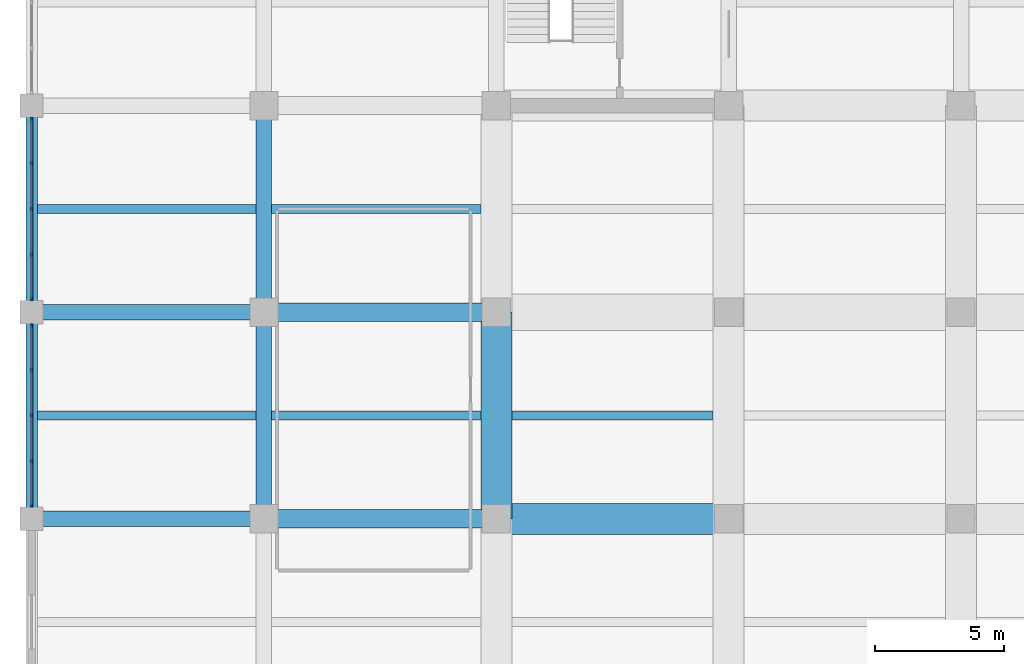
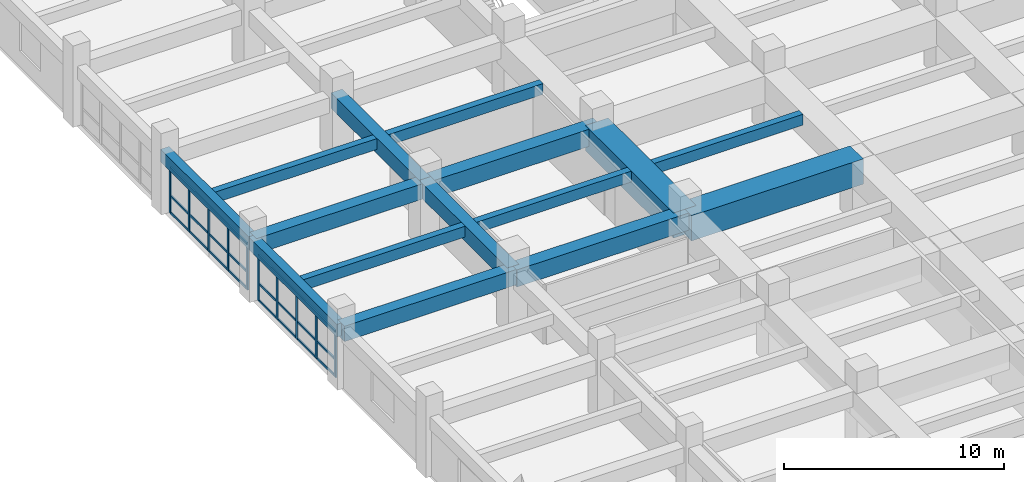
# One storey, part 9 of 40: 16 members, 15 beams, 2 elements without a shape of their own.
"""IFC4 building model written with IfcOpenShell, lengths in metres."""

from ifc_helpers import new_model, si_unit, direction, frame, origin, origin_2d, place, context, subcontext, project, spatial, rectangle, extrude, material, material_profile, profile_set, type_object, element, aggregate, save


model = new_model("IFC4")

# Units and contexts
model_context = context("Model", 3, precision=1e-05, world=origin(), true_north=direction((0.0, 1.0)))
body_context = subcontext(model_context, "Body", "Model", "MODEL_VIEW")
ifc_project = project(units=[si_unit("LENGTHUNIT", "METRE"), si_unit("AREAUNIT", "SQUARE_METRE"), si_unit("VOLUMEUNIT", "CUBIC_METRE"), si_unit("PLANEANGLEUNIT", "RADIAN"), si_unit("MASSUNIT", "GRAM", prefix="KILO")], contexts=[model_context])

# Site, building, storey
site_placement = place(None, origin())
site = spatial("IfcSite", under=ifc_project, at=site_placement, CompositionType="ELEMENT")
building_placement = place(site_placement, origin())
building = spatial("IfcBuilding", under=site, at=building_placement, Name="Zaverband Oceanarium and Marine Research Institute", CompositionType="ELEMENT")
storey_placement = place(building_placement, origin())
storey = spatial("IfcBuildingStorey", under=building, at=storey_placement, Name="L00", CompositionType="ELEMENT", Elevation=0.0)

# Beams
ifc_material_1 = material(Name="Concrete C40/50", Category="concrete")
ifc_material_profile_1 = material_profile(ifc_material_1, rectangle(XDim=0.60009765625, YDim=0.85009765625, at=origin_2d()), Name="RC600x850")
ifc_profile_set_1 = profile_set([ifc_material_profile_1], Name="Concrete C40/50")
beam_type_1 = type_object("IfcBeamType", Name="BM-600x850", PredefinedType="BEAM", material=ifc_profile_set_1)
for number, where, z_axis, x_axis, name in (
    (1, (0.0, 64.0, 2.875), (1.0, 0.0, 0.0), (0.0, 1.0, 0.0), "Primary floor girder BM-600x850"),
    (2, (0.0, 72.0, 2.875), (1.0, 0.0, 0.0), (0.0, 1.0, 0.0), "Primary floor girder BM-600x850"),
):
    element("IfcBeam", number, at=place(storey_placement, frame(where, z_axis=z_axis, x_axis=x_axis)), inside=storey, type_object=beam_type_1, Name=name, PredefinedType="BEAM", context=body_context, shape_type="SweptSolid", body=[
        extrude(rectangle(XDim=0.60009765625, YDim=0.85009765625, at=origin_2d()), origin(), (0.0, 0.0, 1.0), 9.0),
    ])
for number, where, z_axis, x_axis, name in (
    (3, (9.0, 64.0, 2.875), (0.0, 1.0, 0.0), (-1.0, 0.0, 0.0), "Primary floor girder BM-600x850"),
    (4, (9.0, 72.0, 2.875), (0.0, 1.0, 0.0), (-1.0, 0.0, 0.0), "Primary floor girder BM-600x850"),
):
    element("IfcBeam", number, at=place(storey_placement, frame(where, z_axis=z_axis, x_axis=x_axis)), inside=storey, type_object=beam_type_1, Name=name, PredefinedType="BEAM", context=body_context, shape_type="SweptSolid", body=[
        extrude(rectangle(XDim=0.60009765625, YDim=0.85009765625, at=origin_2d()), origin(), (0.0, 0.0, 1.0), 8.0),
    ])
ifc_material_2 = material(Name="Concrete C50/60", Category="concrete")
ifc_material_profile_2 = material_profile(ifc_material_2, rectangle(XDim=0.699951171875, YDim=0.949951171875, at=origin_2d()), Name="RC700x950")
ifc_profile_set_2 = profile_set([ifc_material_profile_2], Name="Concrete C50/60")
beam_type_2 = type_object("IfcBeamType", Name="BM-700x950", PredefinedType="BEAM", material=ifc_profile_set_2)
for number, where, z_axis, x_axis, name in (
    (5, (9.0, 64.0, 2.824951171875), (1.0, 0.0, 0.0), (0.0, 1.0, 0.0), "Primary floor girder BM-700x950"),
    (6, (9.0, 72.0, 2.824951171875), (1.0, 0.0, 0.0), (0.0, 1.0, 0.0), "Primary floor girder BM-700x950"),
):
    element("IfcBeam", number, at=place(storey_placement, frame(where, z_axis=z_axis, x_axis=x_axis)), inside=storey, type_object=beam_type_2, Name=name, PredefinedType="BEAM", context=body_context, shape_type="SweptSolid", body=[
        extrude(rectangle(XDim=0.699951171875, YDim=0.949951171875, at=origin_2d()), origin(), (0.0, 0.0, 1.0), 9.0),
    ])
ifc_material_profile_3 = material_profile(ifc_material_1, rectangle(XDim=0.35009765625, YDim=0.60009765625, at=origin_2d()), Name="RC350x600")
ifc_profile_set_3 = profile_set([ifc_material_profile_3], Name="Concrete C40/50")
beam_type_3 = type_object("IfcBeamType", Name="JST-350x600", PredefinedType="JOIST", material=ifc_profile_set_3)
for number, where, z_axis, x_axis, name in (
    (7, (0.22509765625, 68.0, 3.0), (1.0, 0.0, 0.0), (0.0, 1.0, 0.0), "Secondary floor joist JST-350x600"),
    (8, (0.22509765625, 76.0, 3.0), (1.0, 0.0, 0.0), (0.0, 1.0, 0.0), "Secondary floor joist JST-350x600"),
):
    element("IfcBeam", number, at=place(storey_placement, frame(where, z_axis=z_axis, x_axis=x_axis)), inside=storey, type_object=beam_type_3, Name=name, PredefinedType="JOIST", context=body_context, shape_type="SweptSolid", body=[
        extrude(rectangle(XDim=0.35009765625, YDim=0.60009765625, at=origin_2d()), origin(), (0.0, 0.0, 1.0), 8.474853515625),
    ])
for number, where, z_axis, x_axis, name in (
    (9, (9.300048828125, 68.0, 3.0), (1.0, 0.0, 0.0), (0.0, 1.0, 0.0), "Secondary floor joist JST-350x600"),
    (10, (9.300048828125, 76.0, 3.0), (1.0, 0.0, 0.0), (0.0, 1.0, 0.0), "Secondary floor joist JST-350x600"),
):
    element("IfcBeam", number, at=place(storey_placement, frame(where, z_axis=z_axis, x_axis=x_axis)), inside=storey, type_object=beam_type_3, Name=name, PredefinedType="JOIST", context=body_context, shape_type="SweptSolid", body=[
        extrude(rectangle(XDim=0.35009765625, YDim=0.60009765625, at=origin_2d()), origin(), (0.0, 0.0, 1.0), 8.099853515625),
    ])
beam_1_placement = place(storey_placement, frame((18.60009765625, 68.0, 3.0), z_axis=(1.0, 0.0, 0.0), x_axis=(0.0, 1.0, 0.0)))
element("IfcBeam", 11, at=beam_1_placement, inside=storey, type_object=beam_type_3, Name="Secondary floor joist JST-350x600", PredefinedType="JOIST", context=body_context, shape_type="SweptSolid", body=[
    extrude(rectangle(XDim=0.35009765625, YDim=0.60009765625, at=origin_2d()), origin(), (0.0, 0.0, 1.0), 7.7998046875),
])

# Curtain wall, members
ifc_material_3 = material(Name="Thermally broken anodized aluminium and solar-control glass", Category="aluminium")
curtain_wall_type = type_object("IfcCurtainWallType", Name="CW-UNIT-1800", PredefinedType="NOTDEFINED", material=ifc_material_3)
curtain_wall_1_placement = place(storey_placement, origin())
curtain_wall_1 = element("IfcCurtainWall", 12, at=curtain_wall_1_placement, inside=storey, type_object=curtain_wall_type, Name="Unitised glazed curtain wall CW-009", PredefinedType="NOTDEFINED")
ifc_material_4 = material(Name="Thermally broken anodized aluminium", Category="aluminium")
ifc_material_profile_4 = material_profile(ifc_material_4, rectangle(XDim=0.070068359375, YDim=0.14990234375, at=origin_2d()), Name="AL-MUL-70x150")
ifc_profile_set_4 = profile_set([ifc_material_profile_4], Name="Thermally broken anodized aluminium")
member_type_1 = type_object("IfcMemberType", Name="MUL-70x150", PredefinedType="MULLION", material=ifc_profile_set_4)
member_1_placement = place(storey_placement, frame((0.0, 64.514892578125, 0.0), z_axis=(0.0, 0.0, 1.0), x_axis=(1.0, 0.0, 0.0)))
member_1 = element("IfcMember", 13, at=member_1_placement, type_object=member_type_1, Name="Curtain wall vertical mullion MUL-70x150", PredefinedType="MULLION", context=body_context, shape_type="SweptSolid", body=[
    extrude(rectangle(XDim=0.070068359375, YDim=0.14990234375, at=origin_2d()), origin(), (0.0, 0.0, 1.0), 2.580078125),
])
member_2_placement = place(storey_placement, frame((0.0, 66.2275390625, 0.0), z_axis=(0.0, 0.0, 1.0), x_axis=(1.0, 0.0, 0.0)))
member_2 = element("IfcMember", 14, at=member_2_placement, type_object=member_type_1, Name="Curtain wall vertical mullion MUL-70x150", PredefinedType="MULLION", context=body_context, shape_type="SweptSolid", body=[
    extrude(rectangle(XDim=0.070068359375, YDim=0.14990234375, at=origin_2d()), origin(), (0.0, 0.0, 1.0), 2.580078125),
])
member_3_placement = place(storey_placement, frame((0.0, 68.0, 0.0), z_axis=(0.0, 0.0, 1.0), x_axis=(1.0, 0.0, 0.0)))
member_3 = element("IfcMember", 15, at=member_3_placement, type_object=member_type_1, Name="Curtain wall vertical mullion MUL-70x150", PredefinedType="MULLION", context=body_context, shape_type="SweptSolid", body=[
    extrude(rectangle(XDim=0.070068359375, YDim=0.14990234375, at=origin_2d()), origin(), (0.0, 0.0, 1.0), 2.580078125),
])
member_4_placement = place(storey_placement, frame((0.0, 69.7724609375, 0.0), z_axis=(0.0, 0.0, 1.0), x_axis=(1.0, 0.0, 0.0)))
member_4 = element("IfcMember", 16, at=member_4_placement, type_object=member_type_1, Name="Curtain wall vertical mullion MUL-70x150", PredefinedType="MULLION", context=body_context, shape_type="SweptSolid", body=[
    extrude(rectangle(XDim=0.070068359375, YDim=0.14990234375, at=origin_2d()), origin(), (0.0, 0.0, 1.0), 2.580078125),
])
member_5_placement = place(storey_placement, frame((0.0, 71.485107421875, 0.0), z_axis=(0.0, 0.0, 1.0), x_axis=(1.0, 0.0, 0.0)))
member_5 = element("IfcMember", 17, at=member_5_placement, type_object=member_type_1, Name="Curtain wall vertical mullion MUL-70x150", PredefinedType="MULLION", context=body_context, shape_type="SweptSolid", body=[
    extrude(rectangle(XDim=0.070068359375, YDim=0.14990234375, at=origin_2d()), origin(), (0.0, 0.0, 1.0), 2.580078125),
])

curtain_wall_2_placement = place(storey_placement, origin())
curtain_wall_2 = element("IfcCurtainWall", 18, at=curtain_wall_2_placement, inside=storey, type_object=curtain_wall_type, Name="Unitised glazed curtain wall CW-010", PredefinedType="NOTDEFINED")
member_6_placement = place(storey_placement, frame((0.0, 72.514892578125, 0.0), z_axis=(0.0, 0.0, 1.0), x_axis=(1.0, 0.0, 0.0)))
member_6 = element("IfcMember", 19, at=member_6_placement, type_object=member_type_1, Name="Curtain wall vertical mullion MUL-70x150", PredefinedType="MULLION", context=body_context, shape_type="SweptSolid", body=[
    extrude(rectangle(XDim=0.070068359375, YDim=0.14990234375, at=origin_2d()), origin(), (0.0, 0.0, 1.0), 2.580078125),
])
member_7_placement = place(storey_placement, frame((0.0, 74.2275390625, 0.0), z_axis=(0.0, 0.0, 1.0), x_axis=(1.0, 0.0, 0.0)))
member_7 = element("IfcMember", 20, at=member_7_placement, type_object=member_type_1, Name="Curtain wall vertical mullion MUL-70x150", PredefinedType="MULLION", context=body_context, shape_type="SweptSolid", body=[
    extrude(rectangle(XDim=0.070068359375, YDim=0.14990234375, at=origin_2d()), origin(), (0.0, 0.0, 1.0), 2.580078125),
])
member_8_placement = place(storey_placement, frame((0.0, 76.0, 0.0), z_axis=(0.0, 0.0, 1.0), x_axis=(1.0, 0.0, 0.0)))
member_8 = element("IfcMember", 21, at=member_8_placement, type_object=member_type_1, Name="Curtain wall vertical mullion MUL-70x150", PredefinedType="MULLION", context=body_context, shape_type="SweptSolid", body=[
    extrude(rectangle(XDim=0.070068359375, YDim=0.14990234375, at=origin_2d()), origin(), (0.0, 0.0, 1.0), 2.580078125),
])
member_9_placement = place(storey_placement, frame((0.0, 77.7724609375, 0.0), z_axis=(0.0, 0.0, 1.0), x_axis=(1.0, 0.0, 0.0)))
member_9 = element("IfcMember", 22, at=member_9_placement, type_object=member_type_1, Name="Curtain wall vertical mullion MUL-70x150", PredefinedType="MULLION", context=body_context, shape_type="SweptSolid", body=[
    extrude(rectangle(XDim=0.070068359375, YDim=0.14990234375, at=origin_2d()), origin(), (0.0, 0.0, 1.0), 2.580078125),
])
member_10_placement = place(storey_placement, frame((0.0, 79.485107421875, 0.0), z_axis=(0.0, 0.0, 1.0), x_axis=(1.0, 0.0, 0.0)))
member_10 = element("IfcMember", 23, at=member_10_placement, type_object=member_type_1, Name="Curtain wall vertical mullion MUL-70x150", PredefinedType="MULLION", context=body_context, shape_type="SweptSolid", body=[
    extrude(rectangle(XDim=0.070068359375, YDim=0.14990234375, at=origin_2d()), origin(), (0.0, 0.0, 1.0), 2.580078125),
])

# Beams
ifc_material_profile_5 = material_profile(ifc_material_1, rectangle(XDim=0.449951171875, YDim=0.699951171875, at=origin_2d()), Name="RC450x700")
ifc_profile_set_5 = profile_set([ifc_material_profile_5], Name="Concrete C40/50")
beam_type_4 = type_object("IfcBeamType", Name="SPN-450x700", PredefinedType="SPANDREL", material=ifc_profile_set_5)
for number, where, z_axis, x_axis, name in (
    (24, (0.0, 64.0, 2.949951171875), (0.0, 1.0, 0.0), (-1.0, 0.0, 0.0), "Perimeter spandrel beam SPN-450x700"),
    (25, (0.0, 72.0, 2.949951171875), (0.0, 1.0, 0.0), (-1.0, 0.0, 0.0), "Perimeter spandrel beam SPN-450x700"),
):
    element("IfcBeam", number, at=place(storey_placement, frame(where, z_axis=z_axis, x_axis=x_axis)), inside=storey, type_object=beam_type_4, Name=name, PredefinedType="SPANDREL", context=body_context, shape_type="SweptSolid", body=[
        extrude(rectangle(XDim=0.449951171875, YDim=0.699951171875, at=origin_2d()), origin(), (0.0, 0.0, 1.0), 8.0),
    ])
ifc_material_profile_6 = material_profile(ifc_material_2, rectangle(XDim=1.199951171875, YDim=1.39990234375, at=origin_2d()), Name="RC1200x1400")
ifc_profile_set_6 = profile_set([ifc_material_profile_6], Name="Concrete C50/60")
beam_type_5 = type_object("IfcBeamType", Name="TG-1200x1400", PredefinedType="BEAM", material=ifc_profile_set_6)
beam_2_placement = place(storey_placement, frame((18.0, 64.0, 2.60009765625), z_axis=(1.0, 0.0, 0.0), x_axis=(0.0, 1.0, 0.0)))
element("IfcBeam", 26, at=beam_2_placement, inside=storey, type_object=beam_type_5, Name="Heavy transfer girder TG-1200x1400", PredefinedType="BEAM", context=body_context, shape_type="SweptSolid", body=[
    extrude(rectangle(XDim=1.199951171875, YDim=1.39990234375, at=origin_2d()), origin(), (0.0, 0.0, 1.0), 9.0),
])
beam_3_placement = place(storey_placement, frame((18.0, 64.0, 2.60009765625), z_axis=(0.0, 1.0, 0.0), x_axis=(-1.0, 0.0, 0.0)))
element("IfcBeam", 27, at=beam_3_placement, inside=storey, type_object=beam_type_5, Name="Heavy transfer girder TG-1200x1400", PredefinedType="BEAM", context=body_context, shape_type="SweptSolid", body=[
    extrude(rectangle(XDim=1.199951171875, YDim=1.39990234375, at=origin_2d()), origin(), (0.0, 0.0, 1.0), 8.0),
])

# Member
ifc_material_profile_7 = material_profile(ifc_material_4, rectangle(XDim=0.070068359375, YDim=0.114990234375, at=origin_2d()), Name="AL-TRN-70x115")
ifc_profile_set_7 = profile_set([ifc_material_profile_7], Name="Thermally broken anodized aluminium")
member_type_2 = type_object("IfcMemberType", Name="TRN-70x115", PredefinedType="USERDEFINED", material=ifc_profile_set_7)
member_11_placement = place(storey_placement, frame((0.0, 64.514892578125, 0.050048828125), z_axis=(0.0, 1.0, 0.0), x_axis=(-1.0, 0.0, 0.0)))
member_11 = element("IfcMember", 28, at=member_11_placement, type_object=member_type_2, Name="Curtain wall horizontal transom TRN-70x115", ObjectType="TRANSOM", PredefinedType="USERDEFINED", context=body_context, shape_type="SweptSolid", body=[
    extrude(rectangle(XDim=0.070068359375, YDim=0.114990234375, at=origin_2d()), origin(), (0.0, 0.0, 1.0), 6.97021484375),
])

member_12_placement = place(storey_placement, frame((0.0, 64.514892578125, 0.98291015625), z_axis=(0.0, 1.0, 0.0), x_axis=(-1.0, 0.0, 0.0)))
member_12 = element("IfcMember", 29, at=member_12_placement, type_object=member_type_2, Name="Curtain wall horizontal transom TRN-70x115", ObjectType="TRANSOM", PredefinedType="USERDEFINED", context=body_context, shape_type="SweptSolid", body=[
    extrude(rectangle(XDim=0.070068359375, YDim=0.114990234375, at=origin_2d()), origin(), (0.0, 0.0, 1.0), 6.97021484375),
])

member_13_placement = place(storey_placement, frame((0.0, 64.514892578125, 2.530029296875), z_axis=(0.0, 1.0, 0.0), x_axis=(-1.0, 0.0, 0.0)))
member_13 = element("IfcMember", 30, at=member_13_placement, type_object=member_type_2, Name="Curtain wall horizontal transom TRN-70x115", ObjectType="TRANSOM", PredefinedType="USERDEFINED", context=body_context, shape_type="SweptSolid", body=[
    extrude(rectangle(XDim=0.070068359375, YDim=0.114990234375, at=origin_2d()), origin(), (0.0, 0.0, 1.0), 6.97021484375),
])

aggregate(curtain_wall_1, [member_1, member_2, member_3, member_4, member_5, member_11, member_12, member_13])

member_14_placement = place(storey_placement, frame((0.0, 72.514892578125, 0.050048828125), z_axis=(0.0, 1.0, 0.0), x_axis=(-1.0, 0.0, 0.0)))
member_14 = element("IfcMember", 31, at=member_14_placement, type_object=member_type_2, Name="Curtain wall horizontal transom TRN-70x115", ObjectType="TRANSOM", PredefinedType="USERDEFINED", context=body_context, shape_type="SweptSolid", body=[
    extrude(rectangle(XDim=0.070068359375, YDim=0.114990234375, at=origin_2d()), origin(), (0.0, 0.0, 1.0), 6.97021484375),
])

member_15_placement = place(storey_placement, frame((0.0, 72.514892578125, 0.98291015625), z_axis=(0.0, 1.0, 0.0), x_axis=(-1.0, 0.0, 0.0)))
member_15 = element("IfcMember", 32, at=member_15_placement, type_object=member_type_2, Name="Curtain wall horizontal transom TRN-70x115", ObjectType="TRANSOM", PredefinedType="USERDEFINED", context=body_context, shape_type="SweptSolid", body=[
    extrude(rectangle(XDim=0.070068359375, YDim=0.114990234375, at=origin_2d()), origin(), (0.0, 0.0, 1.0), 6.97021484375),
])

member_16_placement = place(storey_placement, frame((0.0, 72.514892578125, 2.530029296875), z_axis=(0.0, 1.0, 0.0), x_axis=(-1.0, 0.0, 0.0)))
member_16 = element("IfcMember", 33, at=member_16_placement, type_object=member_type_2, Name="Curtain wall horizontal transom TRN-70x115", ObjectType="TRANSOM", PredefinedType="USERDEFINED", context=body_context, shape_type="SweptSolid", body=[
    extrude(rectangle(XDim=0.070068359375, YDim=0.114990234375, at=origin_2d()), origin(), (0.0, 0.0, 1.0), 6.97021484375),
])

aggregate(curtain_wall_2, [member_6, member_7, member_8, member_9, member_10, member_14, member_15, member_16])

save(model, "model.ifc")
